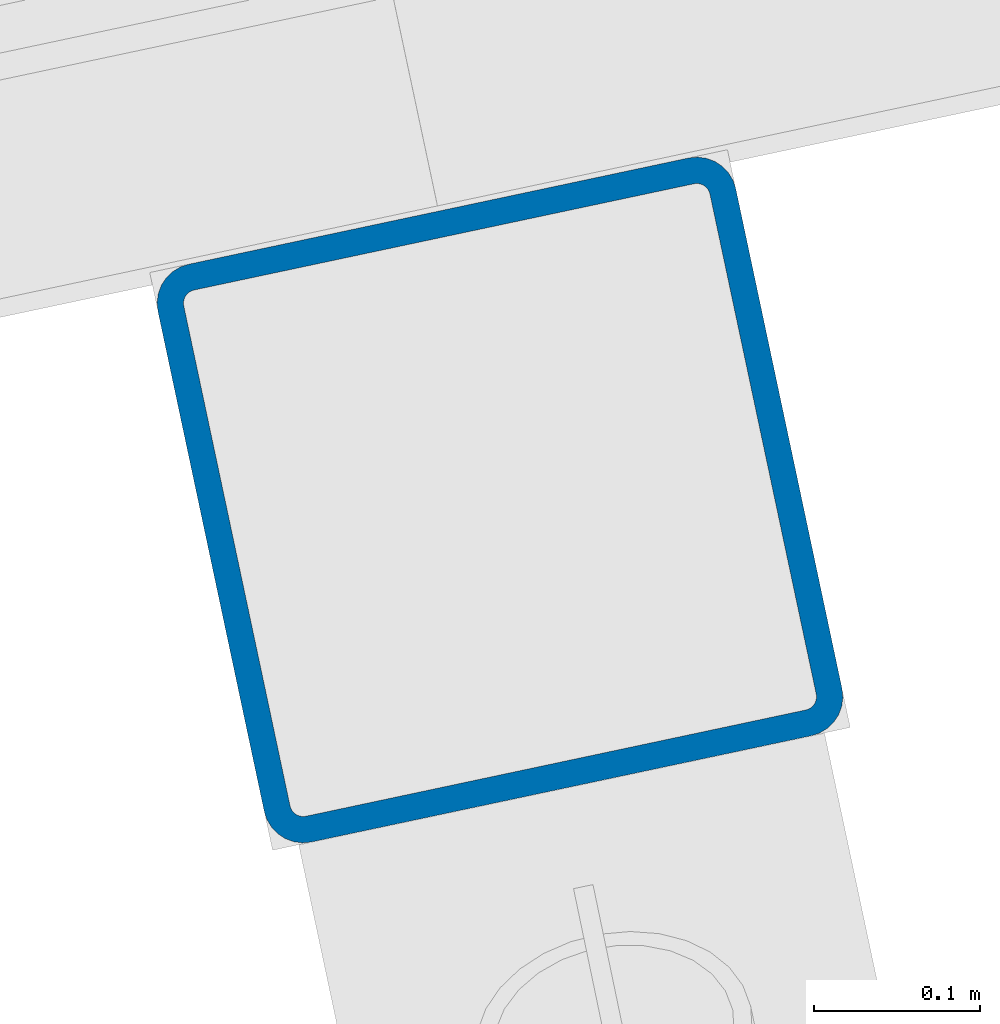
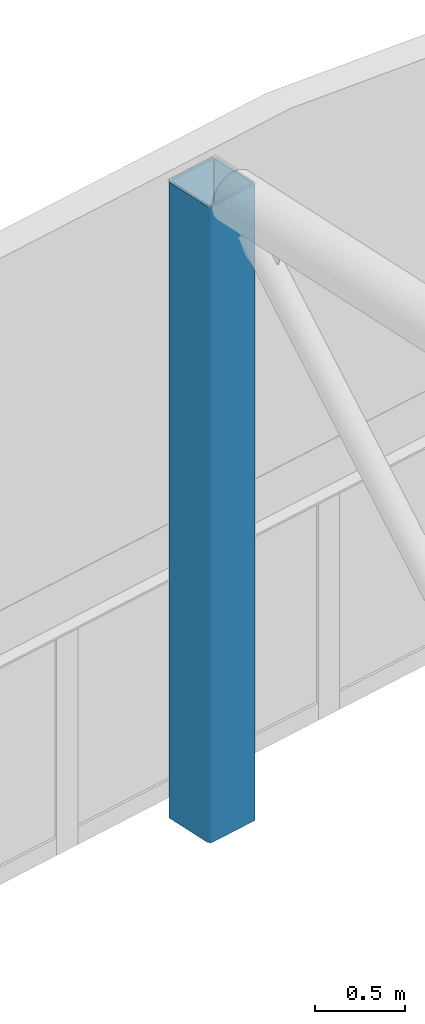
# One storey, part 7 of 58: 1 column.
"""IFC4 building model written with IfcOpenShell, lengths in metres."""

from ifc_helpers import new_model, si_unit, direction, frame, origin, origin_2d, place, context, subcontext, project, spatial, hollow_rectangle, extrude, material, material_profile, profile_set, type_object, element, save


model = new_model("IFC4")

# Units and contexts
model_context = context("Model", 3, precision=1e-05, world=origin(), true_north=direction((0.0, 1.0)))
body_context = subcontext(model_context, "Body", "Model", "MODEL_VIEW")
ifc_project = project(units=[si_unit("LENGTHUNIT", "METRE"), si_unit("AREAUNIT", "SQUARE_METRE"), si_unit("VOLUMEUNIT", "CUBIC_METRE"), si_unit("PLANEANGLEUNIT", "RADIAN"), si_unit("MASSUNIT", "GRAM", prefix="KILO")], contexts=[model_context])

# Site, building, storey
site_placement = place(None, origin())
site = spatial("IfcSite", under=ifc_project, at=site_placement, CompositionType="ELEMENT")
building_placement = place(site_placement, origin())
building = spatial("IfcBuilding", under=site, at=building_placement, Name="Windward Yard Aquatics Centre", CompositionType="ELEMENT")
storey_placement = place(building_placement, frame((0.0, 0.0, 13.800048828125)))
storey = spatial("IfcBuildingStorey", under=building, at=storey_placement, Name="L03", CompositionType="ELEMENT", Elevation=13.800048828125)

# Column
ifc_material = material(Name="Steel ASTM A500 Gr C", Category="steel")
ifc_material_profile = material_profile(ifc_material, hollow_rectangle(XDim=0.355712890625, YDim=0.355712890625, WallThickness=0.015869140625, InnerFilletRadius=0.008056640625, OuterFilletRadius=0.02392578125, at=origin_2d()), Name="HSS356X356X15.9")
ifc_profile_set = profile_set([ifc_material_profile], Name="Steel ASTM A500 Gr C")
column_type = type_object("IfcColumnType", Name="D column HSS356X356X15.9", PredefinedType="COLUMN", material=ifc_profile_set)
column_placement = place(storey_placement, frame((174.5361328125, 78.2958984375, 0.0), z_axis=(0.0, 0.0, 1.0), x_axis=(0.978147600734, 0.207911690818, 0.0)))
element("IfcColumn", 1, at=column_placement, inside=storey, type_object=column_type, Name="D.COL.4.2.5", PredefinedType="COLUMN", context=body_context, shape_type="SweptSolid", body=[
    extrude(hollow_rectangle(XDim=0.355712890625, YDim=0.355712890625, WallThickness=0.015869140625, InnerFilletRadius=0.008056640625, OuterFilletRadius=0.02392578125, at=origin_2d()), origin(), (0.0, 0.0, 1.0), 4.336181640625),
])

save(model, "model.ifc")
